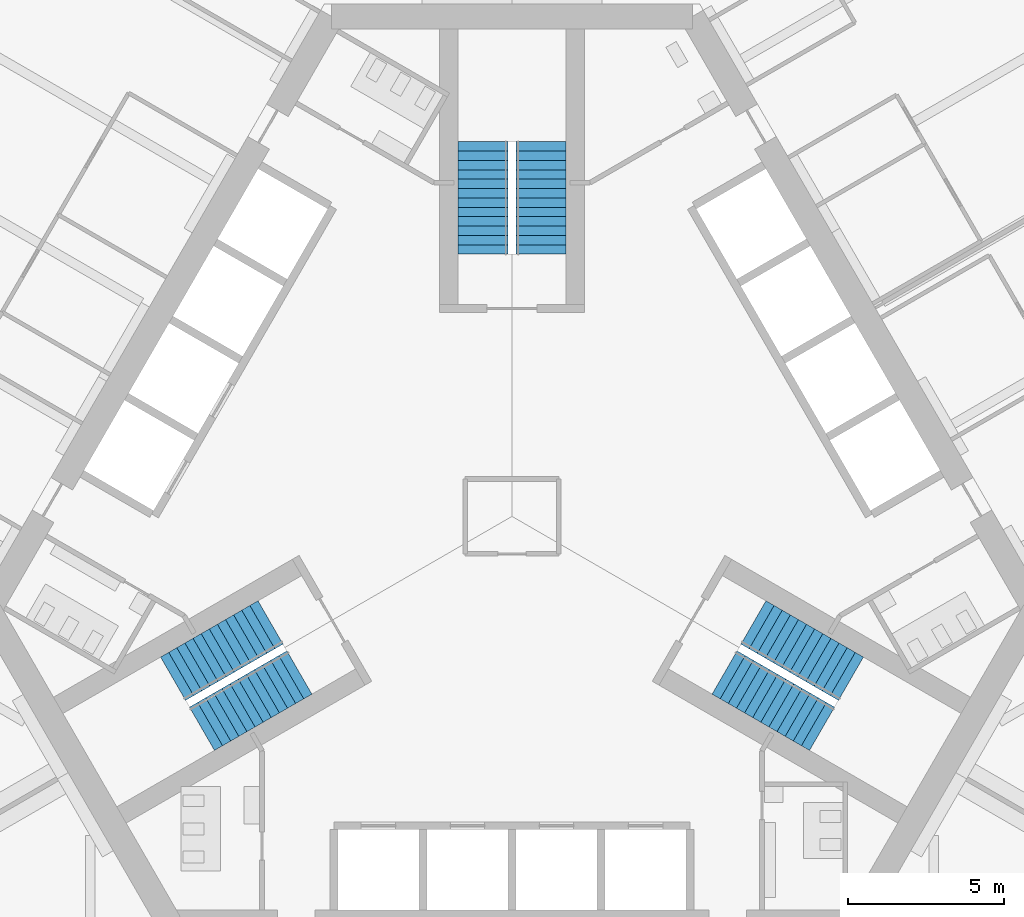
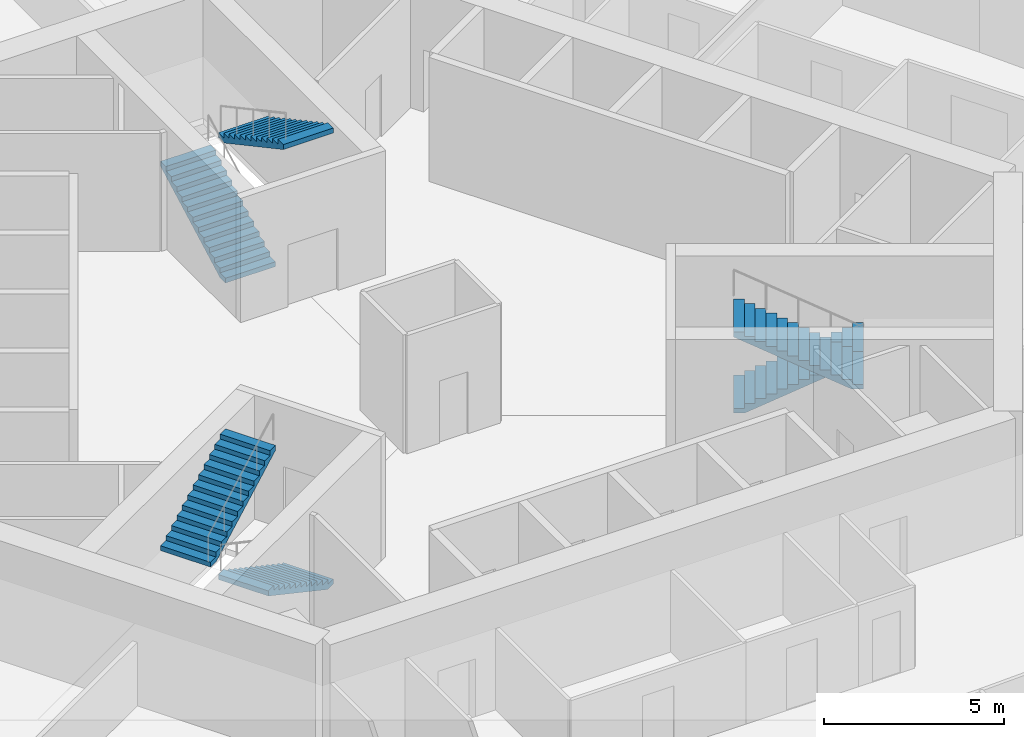
# One storey, part 14 of 19: 6 stair flights, 3 elements without a shape of their own.
"""IFC4 building model written with IfcOpenShell, lengths in metres."""

from ifc_helpers import new_model, si_unit, direction, frame, origin, place, context, subcontext, project, spatial, polyline, outline, extrude, material, type_object, element, aggregate, save


model = new_model("IFC4")

# Units and contexts
model_context = context("Model", 3, precision=1e-05, world=origin(), true_north=direction((0.0, 1.0)))
body_context = subcontext(model_context, "Body", "Model", "MODEL_VIEW")
ifc_project = project(units=[si_unit("LENGTHUNIT", "METRE"), si_unit("AREAUNIT", "SQUARE_METRE"), si_unit("VOLUMEUNIT", "CUBIC_METRE"), si_unit("PLANEANGLEUNIT", "RADIAN"), si_unit("MASSUNIT", "GRAM", prefix="KILO")], contexts=[model_context])

# Site, building, storey
site_placement = place(None, origin())
site = spatial("IfcSite", under=ifc_project, at=site_placement, CompositionType="ELEMENT")
building_placement = place(site_placement, origin())
building = spatial("IfcBuilding", under=site, at=building_placement, Name="Trefoil Bronze Tower", CompositionType="ELEMENT")
storey_placement = place(building_placement, frame((0.0, 0.0, 20.699951171875)))
storey = spatial("IfcBuildingStorey", under=building, at=storey_placement, Name="L04", CompositionType="ELEMENT", Elevation=20.699951171875)

# Stair, stair flights
ifc_material_1 = material(Name="Precast concrete B80", Category="concrete")
stair_type = type_object("IfcStairType", Name="Exit stair 26 risers", PredefinedType="HALF_TURN_STAIR", material=ifc_material_1)
stair_1_placement = place(storey_placement, origin())
stair_1 = element("IfcStair", 1, at=stair_1_placement, inside=storey, type_object=stair_type, Name="Stair ST1 L04", PredefinedType="HALF_TURN_STAIR")
ifc_material_2 = material(Name="Precast concrete B80", Category="concrete")
stair_flight_type = type_object("IfcStairFlightType", Name="Stair flight 1600", PredefinedType="STRAIGHT", material=ifc_material_2)
stair_flight_1_placement = place(storey_placement, frame((7.728515625, -3.39404296875, 0.0), z_axis=(0.0, 0.0, 1.0), x_axis=(0.866025403784, -0.5, 0.0)))
stair_flight_1 = element("IfcStairFlight", 2, at=stair_flight_1_placement, type_object=stair_flight_type, Name="ST1 flight 1", NumberOfRisers=13, NumberOfTreads=12, PredefinedType="STRAIGHT", RiserHeight=0.161538462, TreadLength=0.3, context=body_context, shape_type="SweptSolid", body=[
    extrude(outline(polyline([(0.0, 0.0), (0.0, 0.16162109375), (0.300048828125, 0.16162109375), (0.300048828125, 0.322998046875), (0.60009765625, 0.322998046875), (0.60009765625, 0.484619140625), (0.89990234375, 0.484619140625), (0.89990234375, 0.646240234375), (1.199951171875, 0.646240234375), (1.199951171875, 0.8076171875), (1.5, 0.8076171875), (1.5, 0.96923828125), (1.800048828125, 0.96923828125), (1.800048828125, 1.130859375), (2.10009765625, 1.130859375), (2.10009765625, 1.292236328125), (2.39990234375, 1.292236328125), (2.39990234375, 1.453857421875), (2.699951171875, 1.453857421875), (2.699951171875, 1.615478515625), (3.0, 1.615478515625), (3.0, 1.77685546875), (3.300048828125, 1.77685546875), (3.300048828125, 1.9384765625), (3.60009765625, 1.9384765625), (3.60009765625, 2.10009765625), (3.60009765625, 1.768310546875), (0.316162109375, 0.0), (0.0, 0.0)])), frame((0.0, 0.800048828125, 0.0), z_axis=(0.0, -1.0, 0.0), x_axis=(1.0, 0.0, 0.0)), (0.0, 0.0, 1.0), 1.60009765625),
])
stair_flight_2_placement = place(storey_placement, frame((9.921142578125, -6.796142578125, 2.10009765625), z_axis=(0.0, 0.0, 1.0), x_axis=(-0.866025403784, 0.5, 0.0)))
stair_flight_2 = element("IfcStairFlight", 3, at=stair_flight_2_placement, type_object=stair_flight_type, Name="ST1 flight 2", NumberOfRisers=13, NumberOfTreads=12, PredefinedType="STRAIGHT", RiserHeight=0.161538462, TreadLength=0.3, context=body_context, shape_type="SweptSolid", body=[
    extrude(outline(polyline([(0.0, 0.0), (0.0, 0.16162109375), (0.300048828125, 0.16162109375), (0.300048828125, 0.322998046875), (0.60009765625, 0.322998046875), (0.60009765625, 0.484619140625), (0.89990234375, 0.484619140625), (0.89990234375, 0.646240234375), (1.199951171875, 0.646240234375), (1.199951171875, 0.8076171875), (1.5, 0.8076171875), (1.5, 0.96923828125), (1.800048828125, 0.96923828125), (1.800048828125, 1.130859375), (2.10009765625, 1.130859375), (2.10009765625, 1.292236328125), (2.39990234375, 1.292236328125), (2.39990234375, 1.453857421875), (2.699951171875, 1.453857421875), (2.699951171875, 1.615478515625), (3.0, 1.615478515625), (3.0, 1.77685546875), (3.300048828125, 1.77685546875), (3.300048828125, 1.9384765625), (3.60009765625, 1.9384765625), (3.60009765625, 2.10009765625), (3.60009765625, 1.768310546875), (0.316162109375, 0.0), (0.0, 0.0)])), frame((0.0, 0.800048828125, 0.0), z_axis=(0.0, -1.0, 0.0), x_axis=(1.0, 0.0, 0.0)), (0.0, 0.0, 1.0), 1.60009765625),
])
aggregate(stair_1, [stair_flight_1, stair_flight_2])

stair_2_placement = place(storey_placement, origin())
stair_2 = element("IfcStair", 4, at=stair_2_placement, inside=storey, type_object=stair_type, Name="Stair ST2 L04", PredefinedType="HALF_TURN_STAIR")
stair_flight_3_placement = place(storey_placement, frame((-0.925048828125, 8.389892578125, 0.0), z_axis=(0.0, 0.0, 1.0), x_axis=(0.0, 1.0, 0.0)))
stair_flight_3 = element("IfcStairFlight", 5, at=stair_flight_3_placement, type_object=stair_flight_type, Name="ST2 flight 1", NumberOfRisers=13, NumberOfTreads=12, PredefinedType="STRAIGHT", RiserHeight=0.161538462, TreadLength=0.3, context=body_context, shape_type="SweptSolid", body=[
    extrude(outline(polyline([(0.0, 0.0), (0.0, 0.16162109375), (0.300048828125, 0.16162109375), (0.300048828125, 0.322998046875), (0.60009765625, 0.322998046875), (0.60009765625, 0.484619140625), (0.89990234375, 0.484619140625), (0.89990234375, 0.646240234375), (1.199951171875, 0.646240234375), (1.199951171875, 0.8076171875), (1.5, 0.8076171875), (1.5, 0.96923828125), (1.800048828125, 0.96923828125), (1.800048828125, 1.130859375), (2.10009765625, 1.130859375), (2.10009765625, 1.292236328125), (2.39990234375, 1.292236328125), (2.39990234375, 1.453857421875), (2.699951171875, 1.453857421875), (2.699951171875, 1.615478515625), (3.0, 1.615478515625), (3.0, 1.77685546875), (3.300048828125, 1.77685546875), (3.300048828125, 1.9384765625), (3.60009765625, 1.9384765625), (3.60009765625, 2.10009765625), (3.60009765625, 1.768310546875), (0.316162109375, 0.0), (0.0, 0.0)])), frame((0.0, 0.800048828125, 0.0), z_axis=(0.0, -1.0, 0.0), x_axis=(1.0, 0.0, 0.0)), (0.0, 0.0, 1.0), 1.60009765625),
])
stair_flight_4_placement = place(storey_placement, frame((0.925048828125, 11.989990234375, 2.10009765625), z_axis=(0.0, 0.0, 1.0), x_axis=(0.0, -1.0, 0.0)))
stair_flight_4 = element("IfcStairFlight", 6, at=stair_flight_4_placement, type_object=stair_flight_type, Name="ST2 flight 2", NumberOfRisers=13, NumberOfTreads=12, PredefinedType="STRAIGHT", RiserHeight=0.161538462, TreadLength=0.3, context=body_context, shape_type="SweptSolid", body=[
    extrude(outline(polyline([(0.0, 0.0), (0.0, 0.16162109375), (0.300048828125, 0.16162109375), (0.300048828125, 0.322998046875), (0.60009765625, 0.322998046875), (0.60009765625, 0.484619140625), (0.89990234375, 0.484619140625), (0.89990234375, 0.646240234375), (1.199951171875, 0.646240234375), (1.199951171875, 0.8076171875), (1.5, 0.8076171875), (1.5, 0.96923828125), (1.800048828125, 0.96923828125), (1.800048828125, 1.130859375), (2.10009765625, 1.130859375), (2.10009765625, 1.292236328125), (2.39990234375, 1.292236328125), (2.39990234375, 1.453857421875), (2.699951171875, 1.453857421875), (2.699951171875, 1.615478515625), (3.0, 1.615478515625), (3.0, 1.77685546875), (3.300048828125, 1.77685546875), (3.300048828125, 1.9384765625), (3.60009765625, 1.9384765625), (3.60009765625, 2.10009765625), (3.60009765625, 1.768310546875), (0.316162109375, 0.0), (0.0, 0.0)])), frame((0.0, 0.800048828125, 0.0), z_axis=(0.0, -1.0, 0.0), x_axis=(1.0, 0.0, 0.0)), (0.0, 0.0, 1.0), 1.60009765625),
])
aggregate(stair_2, [stair_flight_3, stair_flight_4])

stair_3_placement = place(storey_placement, origin())
stair_3 = element("IfcStair", 7, at=stair_3_placement, inside=storey, type_object=stair_type, Name="Stair ST3 L04", PredefinedType="HALF_TURN_STAIR")
stair_flight_5_placement = place(storey_placement, frame((-6.803466796875, -4.99609375, 0.0), z_axis=(0.0, 0.0, 1.0), x_axis=(-0.866025403784, -0.5, 0.0)))
stair_flight_5 = element("IfcStairFlight", 8, at=stair_flight_5_placement, type_object=stair_flight_type, Name="ST3 flight 1", NumberOfRisers=13, NumberOfTreads=12, PredefinedType="STRAIGHT", RiserHeight=0.161538462, TreadLength=0.3, context=body_context, shape_type="SweptSolid", body=[
    extrude(outline(polyline([(0.0, 0.0), (0.0, 0.16162109375), (0.300048828125, 0.16162109375), (0.300048828125, 0.322998046875), (0.60009765625, 0.322998046875), (0.60009765625, 0.484619140625), (0.89990234375, 0.484619140625), (0.89990234375, 0.646240234375), (1.199951171875, 0.646240234375), (1.199951171875, 0.8076171875), (1.5, 0.8076171875), (1.5, 0.96923828125), (1.800048828125, 0.96923828125), (1.800048828125, 1.130859375), (2.10009765625, 1.130859375), (2.10009765625, 1.292236328125), (2.39990234375, 1.292236328125), (2.39990234375, 1.453857421875), (2.699951171875, 1.453857421875), (2.699951171875, 1.615478515625), (3.0, 1.615478515625), (3.0, 1.77685546875), (3.300048828125, 1.77685546875), (3.300048828125, 1.9384765625), (3.60009765625, 1.9384765625), (3.60009765625, 2.10009765625), (3.60009765625, 1.768310546875), (0.316162109375, 0.0), (0.0, 0.0)])), frame((0.0, 0.800048828125, 0.0), z_axis=(0.0, -1.0, 0.0), x_axis=(1.0, 0.0, 0.0)), (0.0, 0.0, 1.0), 1.60009765625),
])
stair_flight_6_placement = place(storey_placement, frame((-10.84619140625, -5.19384765625, 2.10009765625), z_axis=(0.0, 0.0, 1.0), x_axis=(0.866025403784, 0.5, 0.0)))
stair_flight_6 = element("IfcStairFlight", 9, at=stair_flight_6_placement, type_object=stair_flight_type, Name="ST3 flight 2", NumberOfRisers=13, NumberOfTreads=12, PredefinedType="STRAIGHT", RiserHeight=0.161538462, TreadLength=0.3, context=body_context, shape_type="SweptSolid", body=[
    extrude(outline(polyline([(0.0, 0.0), (0.0, 0.16162109375), (0.300048828125, 0.16162109375), (0.300048828125, 0.322998046875), (0.60009765625, 0.322998046875), (0.60009765625, 0.484619140625), (0.89990234375, 0.484619140625), (0.89990234375, 0.646240234375), (1.199951171875, 0.646240234375), (1.199951171875, 0.8076171875), (1.5, 0.8076171875), (1.5, 0.96923828125), (1.800048828125, 0.96923828125), (1.800048828125, 1.130859375), (2.10009765625, 1.130859375), (2.10009765625, 1.292236328125), (2.39990234375, 1.292236328125), (2.39990234375, 1.453857421875), (2.699951171875, 1.453857421875), (2.699951171875, 1.615478515625), (3.0, 1.615478515625), (3.0, 1.77685546875), (3.300048828125, 1.77685546875), (3.300048828125, 1.9384765625), (3.60009765625, 1.9384765625), (3.60009765625, 2.10009765625), (3.60009765625, 1.768310546875), (0.316162109375, 0.0), (0.0, 0.0)])), frame((0.0, 0.800048828125, 0.0), z_axis=(0.0, -1.0, 0.0), x_axis=(1.0, 0.0, 0.0)), (0.0, 0.0, 1.0), 1.60009765625),
])
aggregate(stair_3, [stair_flight_5, stair_flight_6])

save(model, "model.ifc")
